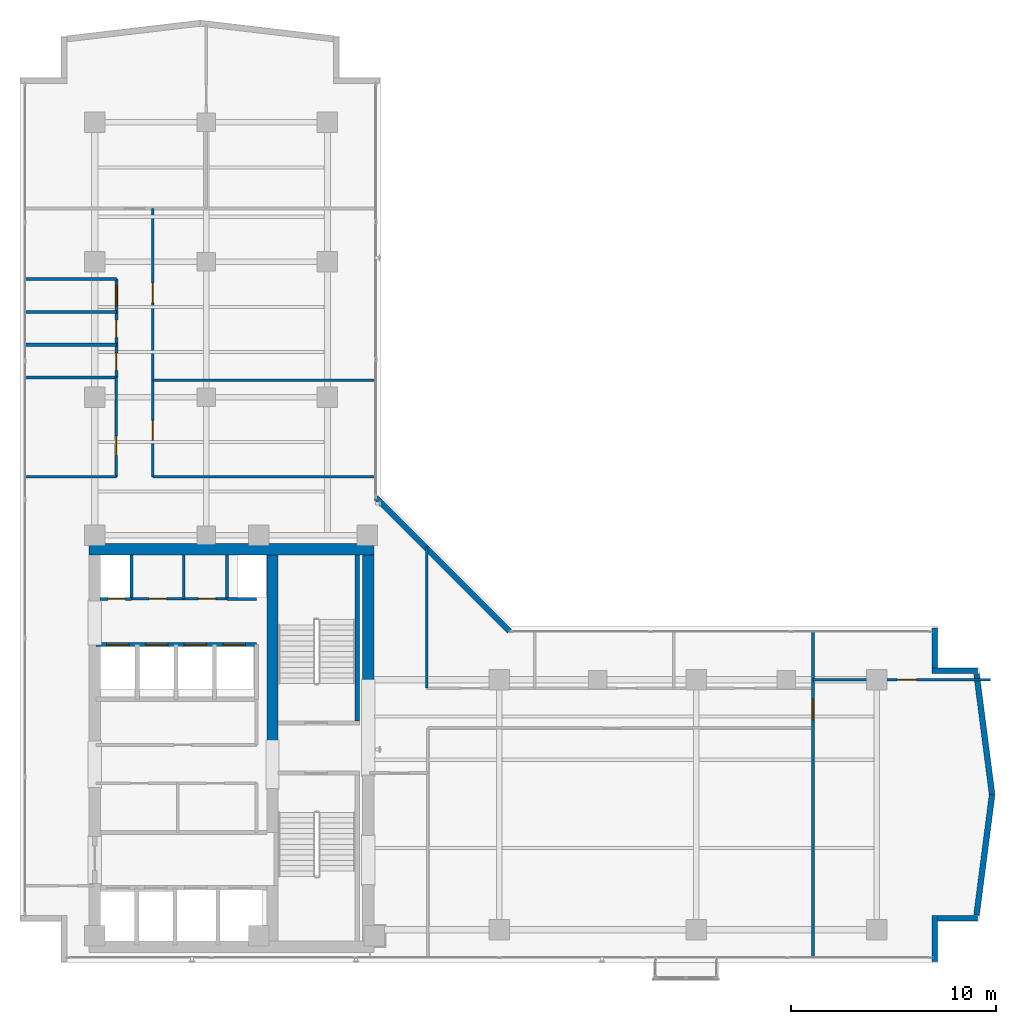
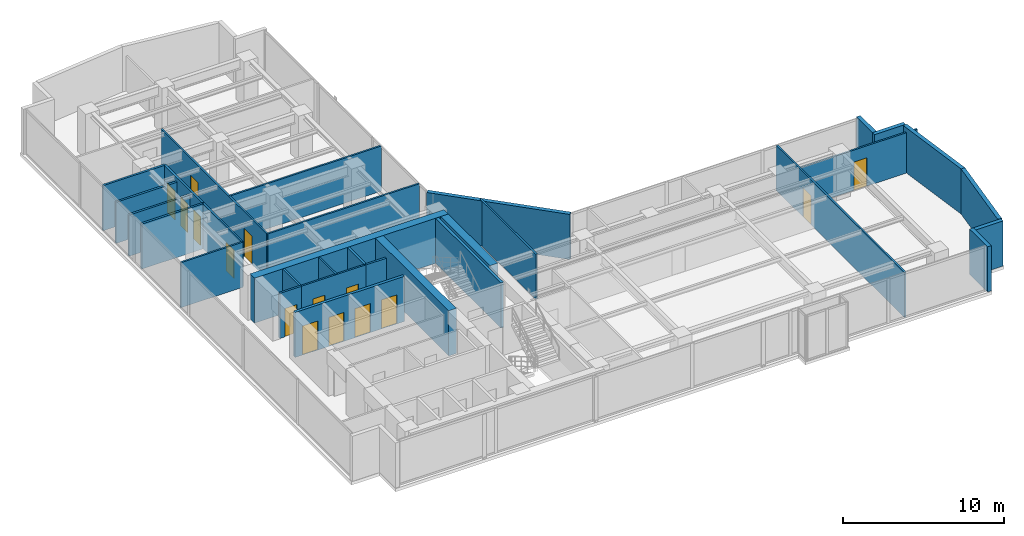
# One storey, part 18 of 24: 31 walls, 15 doors, 15 openings.
"""IFC4 building model written with IfcOpenShell, lengths in metres."""

from ifc_helpers import new_model, si_unit, direction, frame, frame_2d, origin, place, context, subcontext, project, spatial, rectangle, extrude, material, layer, layer_set, type_object, element, fill, save


model = new_model("IFC4")

# Units and contexts
model_context = context("Model", 3, precision=1e-05, world=origin(), true_north=direction((0.0, 1.0)))
body_context = subcontext(model_context, "Body", "Model", "MODEL_VIEW")
ifc_project = project(units=[si_unit("LENGTHUNIT", "METRE"), si_unit("AREAUNIT", "SQUARE_METRE"), si_unit("VOLUMEUNIT", "CUBIC_METRE"), si_unit("PLANEANGLEUNIT", "RADIAN"), si_unit("MASSUNIT", "GRAM", prefix="KILO")], contexts=[model_context])

# Site, building, storey
site_placement = place(None, origin())
site = spatial("IfcSite", under=ifc_project, at=site_placement, CompositionType="ELEMENT")
building_placement = place(site_placement, origin())
building = spatial("IfcBuilding", under=site, at=building_placement, Name="Kolvaren Waterfront Exchange", CompositionType="ELEMENT")
storey_placement = place(building_placement, frame((0.0, 0.0, 253.89990234375)))
storey = spatial("IfcBuildingStorey", under=building, at=storey_placement, Name="L65", CompositionType="ELEMENT", Elevation=253.89990234375)

# Walls
ifc_material_1 = material(Name="Precast concrete C40/50", Category="concrete")
ifc_layer_1 = layer(ifc_material_1, 0.280029296875, Name="Precast concrete C40/50")
ifc_layer_set_1 = layer_set([ifc_layer_1], Name="Precast concrete C40/50")
wall_type_1 = type_object("IfcWallType", Name="ARC-EXT-TERR-280", PredefinedType="SOLIDWALL", material=ifc_layer_set_1)
wall_1_placement = place(storey_placement, frame((48.43994140625, 3.659912109375, 0.0), z_axis=(0.0, 0.0, 1.0), x_axis=(0.0, 1.0, 0.0)))
element("IfcWall", 1, at=wall_1_placement, inside=storey, type_object=wall_type_1, Name="L65 notched corner spandrel pier SE-A", PredefinedType="SOLIDWALL", context=body_context, shape_type="SweptSolid", body=[
    extrude(rectangle(XDim=2.239990234375, YDim=0.280029296875, at=frame_2d((1.1201171875, 0.0))), origin(), (0.0, 0.0, 1.0), 3.420166015625),
])
wall_2_placement = place(storey_placement, frame((48.580078125, 5.760009765625, 0.0), z_axis=(0.0, 0.0, 1.0), x_axis=(1.0, 0.0, 0.0)))
element("IfcWall", 2, at=wall_2_placement, inside=storey, type_object=wall_type_1, Name="L65 notched corner spandrel pier SE-B", PredefinedType="SOLIDWALL", context=body_context, shape_type="SweptSolid", body=[
    extrude(rectangle(XDim=1.9599609375, YDim=0.280029296875, at=frame_2d((0.97998046875, 0.0))), origin(), (0.0, 0.0, 1.0), 3.420166015625),
])
wall_3_placement = place(storey_placement, frame((48.43994140625, 17.965087890625, 0.0), z_axis=(0.0, 0.0, 1.0), x_axis=(0.0, 1.0, 0.0)))
element("IfcWall", 3, at=wall_3_placement, inside=storey, type_object=wall_type_1, Name="L65 notched corner spandrel pier ENE-A", PredefinedType="SOLIDWALL", context=body_context, shape_type="SweptSolid", body=[
    extrude(rectangle(XDim=1.974853515625, YDim=0.280029296875, at=frame_2d((0.9873046875, 0.0))), origin(), (0.0, 0.0, 1.0), 3.420166015625),
])
wall_4_placement = place(storey_placement, frame((48.300048828125, 17.840087890625, 0.0), z_axis=(0.0, 0.0, 1.0), x_axis=(1.0, 0.0, 0.0)))
element("IfcWall", 4, at=wall_4_placement, inside=storey, type_object=wall_type_1, Name="L65 notched corner spandrel pier ENE-B", PredefinedType="SOLIDWALL", context=body_context, shape_type="SweptSolid", body=[
    extrude(rectangle(XDim=2.239990234375, YDim=0.280029296875, at=frame_2d((1.1201171875, 0.0))), origin(), (0.0, 0.0, 1.0), 3.420166015625),
])
wall_5_placement = place(storey_placement, frame((27.68505859375, 19.77490234375, 0.0), z_axis=(0.0, 0.0, 1.0), x_axis=(-0.707106781187, 0.707106781187, 0.0)))
element("IfcWall", 5, at=wall_5_placement, inside=storey, type_object=wall_type_1, Name="L65 notched corner spandrel pier ELBOW", PredefinedType="SOLIDWALL", context=body_context, shape_type="SweptSolid", body=[
    extrude(rectangle(XDim=9.20654296875, YDim=0.280029296875, at=frame_2d((4.603271484375, 0.0))), origin(), (0.0, 0.0, 1.0), 3.420166015625),
])
for number, where, z_axis, x_axis, name in (
    (6, (50.479736328125, 5.91796875, 0.0), (0.0, 0.0, 1.0), (0.127970031595, 0.991778035154, 0.0), "L65 east prow faceted facade wall 1"),
    (7, (51.23876953125, 11.79931640625, 0.0), (0.0, 0.0, 1.0), (-0.127970031595, 0.991778035154, 0.0), "L65 east prow faceted facade wall 2"),
):
    element("IfcWall", number, at=place(storey_placement, frame(where, z_axis=z_axis, x_axis=x_axis)), inside=storey, type_object=wall_type_1, Name=name, PredefinedType="SOLIDWALL", context=body_context, shape_type="SweptSolid", body=[
        extrude(rectangle(XDim=5.931396484375, YDim=0.280029296875, at=frame_2d((2.9658203125, 0.0))), origin(), (0.0, 0.0, 1.0), 3.420166015625),
    ])

# Wall, openings, doors
ifc_material_2 = material(Name="Acoustic gypsum steel stud", Category="steel")
ifc_layer_2 = layer(ifc_material_2, 0.125, Name="Acoustic gypsum steel stud")
ifc_layer_set_2 = layer_set([ifc_layer_2], Name="Acoustic gypsum steel stud")
wall_type_2 = type_object("IfcWallType", Name="ARC-PART-125", PredefinedType="PARTITIONING", material=ifc_layer_set_2)
wall_6_placement = place(storey_placement, frame((9.25, 21.35009765625, 0.0), z_axis=(0.0, 0.0, 1.0), x_axis=(1.0, 0.0, 0.0)))
wall_6 = element("IfcWall", 8, at=wall_6_placement, inside=storey, type_object=wall_type_2, Name="L65 interior wall PW-L65-SVC-HI-S", PredefinedType="PARTITIONING", context=body_context, shape_type="SweptSolid", body=[
    extrude(rectangle(XDim=4.64990234375, YDim=0.125, at=frame_2d((2.324951171875, 0.0))), origin(), (0.0, 0.0, 1.0), 3.420166015625),
])
opening_1_placement = place(wall_6_placement, frame((0.85009765625, 0.0, 0.0)))
opening_1 = element("IfcOpeningElement", 9, at=opening_1_placement, cuts=wall_6, Name="Opening D01", PredefinedType="OPENING", context=body_context, shape_type="SweptSolid", body=[
    extrude(rectangle(XDim=0.85009765625, YDim=2.14990234375, at=frame_2d((0.425048828125, 1.074951171875))), frame((0.0, 0.072509765625, 0.0), z_axis=(0.0, -1.0, 0.0), x_axis=(1.0, 0.0, 0.0)), (0.0, 0.0, 1.0), 0.14501953125),
])
opening_2_placement = place(wall_6_placement, frame((3.25, 0.0, 0.0)))
opening_2 = element("IfcOpeningElement", 10, at=opening_2_placement, cuts=wall_6, Name="Opening D01", PredefinedType="OPENING", context=body_context, shape_type="SweptSolid", body=[
    extrude(rectangle(XDim=0.85009765625, YDim=2.14990234375, at=frame_2d((0.425048828125, 1.074951171875))), frame((0.0, 0.072509765625, 0.0), z_axis=(0.0, -1.0, 0.0), x_axis=(1.0, 0.0, 0.0)), (0.0, 0.0, 1.0), 0.14501953125),
])
ifc_material_3 = material(Name="Oak veneer timber leaf", Category="wood")
door_type_1 = type_object("IfcDoorType", Name="ARC-DR-900", OperationType="NOTDEFINED", PredefinedType="DOOR", material=ifc_material_3)
door_1_placement = place(opening_1_placement, origin())
door_1 = element("IfcDoor", 11, at=door_1_placement, inside=storey, type_object=door_type_1, Name="L65 door DR-L65-SVC-DR-1 (D01)", OperationType="SINGLE_SWING_RIGHT", OverallHeight=2.14990234375, OverallWidth=0.85009765625, PredefinedType="DOOR", context=body_context, shape_type="SweptSolid", body=[
    extrude(rectangle(XDim=0.85009765625, YDim=2.14990234375, at=frame_2d((0.425048828125, 1.074951171875))), frame((0.0, 0.02490234375, 0.0), z_axis=(0.0, -1.0, 0.0), x_axis=(1.0, 0.0, 0.0)), (0.0, 0.0, 1.0), 0.050048828125),
])
fill(opening_1, door_1)
door_2_placement = place(opening_2_placement, origin())
door_2 = element("IfcDoor", 12, at=door_2_placement, inside=storey, type_object=door_type_1, Name="L65 door DR-L65-SVC-DR-2 (D01)", OperationType="SINGLE_SWING_LEFT", OverallHeight=2.14990234375, OverallWidth=0.85009765625, PredefinedType="DOOR", context=body_context, shape_type="SweptSolid", body=[
    extrude(rectangle(XDim=0.85009765625, YDim=2.14990234375, at=frame_2d((0.425048828125, 1.074951171875))), frame((0.0, 0.02490234375, 0.0), z_axis=(0.0, -1.0, 0.0), x_axis=(1.0, 0.0, 0.0)), (0.0, 0.0, 1.0), 0.050048828125),
])
fill(opening_2, door_2)

# Wall
wall_7_placement = place(storey_placement, frame((11.800048828125, 21.35009765625, 0.0), z_axis=(0.0, 0.0, 1.0), x_axis=(0.0, 1.0, 0.0)))
element("IfcWall", 13, at=wall_7_placement, inside=storey, type_object=wall_type_2, Name="L65 interior wall PW-L65-SVC-HI-M", PredefinedType="PARTITIONING", context=body_context, shape_type="SweptSolid", body=[
    extrude(rectangle(XDim=2.1298828125, YDim=0.125, at=frame_2d((1.06494140625, 0.0))), origin(), (0.0, 0.0, 1.0), 3.420166015625),
])

# Wall, opening, door
wall_8_placement = place(storey_placement, frame((8.5, 27.300048828125, 0.0), z_axis=(0.0, 0.0, 1.0), x_axis=(0.0, 1.0, 0.0)))
wall_8 = element("IfcWall", 14, at=wall_8_placement, inside=storey, type_object=wall_type_2, Name="L65 interior wall PW-L65-PREWC-E", PredefinedType="PARTITIONING", context=body_context, shape_type="SweptSolid", body=[
    extrude(rectangle(XDim=4.849853515625, YDim=0.125, at=frame_2d((2.4248046875, 0.0))), origin(), (0.0, 0.0, 1.0), 3.420166015625),
])
opening_3_placement = place(wall_8_placement, frame((1.050048828125, 0.0, 0.0)))
opening_3 = element("IfcOpeningElement", 15, at=opening_3_placement, cuts=wall_8, Name="Opening D02", PredefinedType="OPENING", context=body_context, shape_type="SweptSolid", body=[
    extrude(rectangle(XDim=0.949951171875, YDim=2.14990234375, at=frame_2d((0.47509765625, 1.074951171875))), frame((0.0, 0.072509765625, 0.0), z_axis=(0.0, -1.0, 0.0), x_axis=(1.0, 0.0, 0.0)), (0.0, 0.0, 1.0), 0.14501953125),
])
ifc_material_4 = material(Name="Oak veneer acoustic timber", Category="wood")
door_type_2 = type_object("IfcDoorType", Name="ARC-DR-950", OperationType="NOTDEFINED", PredefinedType="DOOR", material=ifc_material_4)
door_3_placement = place(opening_3_placement, origin())
door_3 = element("IfcDoor", 16, at=door_3_placement, inside=storey, type_object=door_type_2, Name="L65 door DR-L65-PREWC-D (D02)", OperationType="SINGLE_SWING_RIGHT", OverallHeight=2.14990234375, OverallWidth=0.949951171875, PredefinedType="DOOR", context=body_context, shape_type="SweptSolid", body=[
    extrude(rectangle(XDim=0.949951171875, YDim=2.14990234375, at=frame_2d((0.47509765625, 1.074951171875))), frame((0.0, 0.02490234375, 0.0), z_axis=(0.0, -1.0, 0.0), x_axis=(1.0, 0.0, 0.0)), (0.0, 0.0, 1.0), 0.050048828125),
])
fill(opening_3, door_3)

# Wall
wall_9_placement = place(storey_placement, frame((4.0400390625, 27.300048828125, 0.0), z_axis=(0.0, 0.0, 1.0), x_axis=(1.0, 0.0, 0.0)))
element("IfcWall", 17, at=wall_9_placement, inside=storey, type_object=wall_type_2, Name="L65 interior wall PW-L65-PREWC-S", PredefinedType="PARTITIONING", context=body_context, shape_type="SweptSolid", body=[
    extrude(rectangle(XDim=4.4599609375, YDim=0.125, at=frame_2d((2.22998046875, 0.0))), origin(), (0.0, 0.0, 1.0), 3.420166015625),
])

# Wall, opening, door
wall_10_placement = place(storey_placement, frame((42.5, 3.840087890625, 0.0), z_axis=(0.0, 0.0, 1.0), x_axis=(0.0, 1.0, 0.0)))
wall_10 = element("IfcWall", 18, at=wall_10_placement, inside=storey, type_object=wall_type_2, Name="L65 interior wall PW-L65-ETIP-W", PredefinedType="PARTITIONING", context=body_context, shape_type="SweptSolid", body=[
    extrude(rectangle(XDim=15.919921875, YDim=0.125, at=frame_2d((7.9599609375, 0.0))), origin(), (0.0, 0.0, 1.0), 3.420166015625),
])
opening_4_placement = place(wall_10_placement, frame((11.610107421875, 0.0, 0.0)))
opening_4 = element("IfcOpeningElement", 19, at=opening_4_placement, cuts=wall_10, Name="Opening D03", PredefinedType="OPENING", context=body_context, shape_type="SweptSolid", body=[
    extrude(rectangle(XDim=1.0, YDim=2.199951171875, at=frame_2d((0.5, 1.10009765625))), frame((0.0, 0.072509765625, 0.0), z_axis=(0.0, -1.0, 0.0), x_axis=(1.0, 0.0, 0.0)), (0.0, 0.0, 1.0), 0.14501953125),
])
ifc_material_5 = material(Name="Oak veneer accessible timber", Category="wood")
door_type_3 = type_object("IfcDoorType", Name="ARC-DR-1000", OperationType="NOTDEFINED", PredefinedType="DOOR", material=ifc_material_5)
door_4_placement = place(opening_4_placement, origin())
door_4 = element("IfcDoor", 20, at=door_4_placement, inside=storey, type_object=door_type_3, Name="L65 door DR-L65-ETIP1-D (D03)", OperationType="SINGLE_SWING_LEFT", OverallHeight=2.199951171875, OverallWidth=1.0, PredefinedType="DOOR", context=body_context, shape_type="SweptSolid", body=[
    extrude(rectangle(XDim=1.0, YDim=2.199951171875, at=frame_2d((0.5, 1.10009765625))), frame((0.0, 0.02490234375, 0.0), z_axis=(0.0, -1.0, 0.0), x_axis=(1.0, 0.0, 0.0)), (0.0, 0.0, 1.0), 0.050048828125),
])
fill(opening_4, door_4)

wall_11_placement = place(storey_placement, frame((42.5, 17.39990234375, 0.0), z_axis=(0.0, 0.0, 1.0), x_axis=(1.0, 0.0, 0.0)))
wall_11 = element("IfcWall", 21, at=wall_11_placement, inside=storey, type_object=wall_type_2, Name="L65 interior wall PW-L65-ETIP-MID", PredefinedType="PARTITIONING", context=body_context, shape_type="SweptSolid", body=[
    extrude(rectangle(XDim=8.659912109375, YDim=0.125, at=frame_2d((4.330078125, 0.0))), origin(), (0.0, 0.0, 1.0), 3.06005859375),
])
opening_5_placement = place(wall_11_placement, frame((4.10009765625, 0.0, 0.0)))
opening_5 = element("IfcOpeningElement", 22, at=opening_5_placement, cuts=wall_11, Name="Opening D02", PredefinedType="OPENING", context=body_context, shape_type="SweptSolid", body=[
    extrude(rectangle(XDim=0.949951171875, YDim=2.14990234375, at=frame_2d((0.47509765625, 1.074951171875))), frame((0.0, 0.072509765625, 0.0), z_axis=(0.0, -1.0, 0.0), x_axis=(1.0, 0.0, 0.0)), (0.0, 0.0, 1.0), 0.14501953125),
])
door_5_placement = place(opening_5_placement, origin())
door_5 = element("IfcDoor", 23, at=door_5_placement, inside=storey, type_object=door_type_2, Name="L65 door DR-L65-ETIP2-D (D02)", OperationType="SINGLE_SWING_RIGHT", OverallHeight=2.14990234375, OverallWidth=0.949951171875, PredefinedType="DOOR", context=body_context, shape_type="SweptSolid", body=[
    extrude(rectangle(XDim=0.949951171875, YDim=2.14990234375, at=frame_2d((0.47509765625, 1.074951171875))), frame((0.0, 0.02490234375, 0.0), z_axis=(0.0, -1.0, 0.0), x_axis=(1.0, 0.0, 0.0)), (0.0, 0.0, 1.0), 0.050048828125),
])
fill(opening_5, door_5)

# Walls
wall_12_placement = place(storey_placement, frame((23.64990234375, 16.989990234375, 0.0), z_axis=(0.0, 0.0, 1.0), x_axis=(0.0, 1.0, 0.0)))
element("IfcWall", 24, at=wall_12_placement, inside=storey, type_object=wall_type_2, Name="L65 interior wall PW-L65-EN-W0", PredefinedType="PARTITIONING", context=body_context, shape_type="SweptSolid", body=[
    extrude(rectangle(XDim=6.919921875, YDim=0.125, at=frame_2d((3.4599609375, 0.0))), origin(), (0.0, 0.0, 1.0), 3.420166015625),
])
wall_13_placement = place(storey_placement, frame((10.280029296875, 27.300048828125, 0.0), z_axis=(0.0, 0.0, 1.0), x_axis=(1.0, 0.0, 0.0)))
element("IfcWall", 25, at=wall_13_placement, inside=storey, type_object=wall_type_2, Name="L65 interior wall PW-L65-NE-S0", PredefinedType="PARTITIONING", context=body_context, shape_type="SweptSolid", body=[
    extrude(rectangle(XDim=10.8798828125, YDim=0.125, at=frame_2d((5.43994140625, 0.0))), origin(), (0.0, 0.0, 1.0), 3.420166015625),
])

# Wall, openings, doors
wall_14_placement = place(storey_placement, frame((10.280029296875, 27.300048828125, 0.0), z_axis=(0.0, 0.0, 1.0), x_axis=(0.0, 1.0, 0.0)))
wall_14 = element("IfcWall", 26, at=wall_14_placement, inside=storey, type_object=wall_type_2, Name="L65 interior wall PW-L65-NE-CORR", PredefinedType="PARTITIONING", context=body_context, shape_type="SweptSolid", body=[
    extrude(rectangle(XDim=13.099853515625, YDim=0.125, at=frame_2d((6.5498046875, 0.0))), origin(), (0.0, 0.0, 1.0), 3.420166015625),
])
opening_6_placement = place(wall_14_placement, frame((1.814208984375, 0.0, 0.0)))
opening_6 = element("IfcOpeningElement", 27, at=opening_6_placement, cuts=wall_14, Name="Opening D02", PredefinedType="OPENING", context=body_context, shape_type="SweptSolid", body=[
    extrude(rectangle(XDim=0.949951171875, YDim=2.14990234375, at=frame_2d((0.47509765625, 1.074951171875))), frame((0.0, 0.072509765625, 0.0), z_axis=(0.0, -1.0, 0.0), x_axis=(1.0, 0.0, 0.0)), (0.0, 0.0, 1.0), 0.14501953125),
])
opening_7_placement = place(wall_14_placement, frame((8.505615234375, 0.0, 0.0)))
opening_7 = element("IfcOpeningElement", 28, at=opening_7_placement, cuts=wall_14, Name="Opening D02", PredefinedType="OPENING", context=body_context, shape_type="SweptSolid", body=[
    extrude(rectangle(XDim=0.949951171875, YDim=2.14990234375, at=frame_2d((0.47509765625, 1.074951171875))), frame((0.0, 0.072509765625, 0.0), z_axis=(0.0, -1.0, 0.0), x_axis=(1.0, 0.0, 0.0)), (0.0, 0.0, 1.0), 0.14501953125),
])
door_6_placement = place(opening_6_placement, origin())
door_6 = element("IfcDoor", 29, at=door_6_placement, inside=storey, type_object=door_type_2, Name="L65 door DR-L65-NE-D-1 (D02)", OperationType="SINGLE_SWING_RIGHT", OverallHeight=2.14990234375, OverallWidth=0.949951171875, PredefinedType="DOOR", context=body_context, shape_type="SweptSolid", body=[
    extrude(rectangle(XDim=0.949951171875, YDim=2.14990234375, at=frame_2d((0.47509765625, 1.074951171875))), frame((0.0, 0.02490234375, 0.0), z_axis=(0.0, -1.0, 0.0), x_axis=(1.0, 0.0, 0.0)), (0.0, 0.0, 1.0), 0.050048828125),
])
fill(opening_6, door_6)
door_7_placement = place(opening_7_placement, origin())
door_7 = element("IfcDoor", 30, at=door_7_placement, inside=storey, type_object=door_type_2, Name="L65 door DR-L65-NE-D-2 (D02)", OperationType="SINGLE_SWING_LEFT", OverallHeight=2.14990234375, OverallWidth=0.949951171875, PredefinedType="DOOR", context=body_context, shape_type="SweptSolid", body=[
    extrude(rectangle(XDim=0.949951171875, YDim=2.14990234375, at=frame_2d((0.47509765625, 1.074951171875))), frame((0.0, 0.02490234375, 0.0), z_axis=(0.0, -1.0, 0.0), x_axis=(1.0, 0.0, 0.0)), (0.0, 0.0, 1.0), 0.050048828125),
])
fill(opening_7, door_7)

# Walls
wall_15_placement = place(storey_placement, frame((10.280029296875, 32.02001953125, 0.0), z_axis=(0.0, 0.0, 1.0), x_axis=(1.0, 0.0, 0.0)))
element("IfcWall", 31, at=wall_15_placement, inside=storey, type_object=wall_type_2, Name="L65 interior wall PW-L65-NE-DIV-1", PredefinedType="PARTITIONING", context=body_context, shape_type="SweptSolid", body=[
    extrude(rectangle(XDim=10.8798828125, YDim=0.125, at=frame_2d((5.43994140625, 0.0))), origin(), (0.0, 0.0, 1.0), 3.420166015625),
])
ifc_material_6 = material(Name="Gypsum fireboard steel stud", Category="steel")
ifc_layer_3 = layer(ifc_material_6, 0.14990234375, Name="Gypsum fireboard steel stud")
ifc_layer_set_3 = layer_set([ifc_layer_3], Name="Gypsum fireboard steel stud")
wall_type_3 = type_object("IfcWallType", Name="ARC-PART-150", PredefinedType="PARTITIONING", material=ifc_layer_set_3)
for number, where, z_axis, x_axis, name in (
    (32, (9.25, 21.35009765625, 0.0), (0.0, 0.0, 1.0), (0.0, 1.0, 0.0), "L65 interior wall PW-L65-SVC-R1"),
    (33, (13.89990234375, 21.35009765625, 0.0), (0.0, 0.0, 1.0), (0.0, 1.0, 0.0), "L65 interior wall PW-L65-SVC-R2"),
):
    element("IfcWall", number, at=place(storey_placement, frame(where, z_axis=z_axis, x_axis=x_axis)), inside=storey, type_object=wall_type_3, Name=name, PredefinedType="PARTITIONING", context=body_context, shape_type="SweptSolid", body=[
        extrude(rectangle(XDim=2.1298828125, YDim=0.14990234375, at=frame_2d((1.06494140625, 0.0))), origin(), (0.0, 0.0, 1.0), 3.420166015625),
    ])

# Wall, opening, door
wall_16_placement = place(storey_placement, frame((7.699951171875, 21.35009765625, 0.0), z_axis=(0.0, 0.0, 1.0), x_axis=(1.0, 0.0, 0.0)))
wall_16 = element("IfcWall", 34, at=wall_16_placement, inside=storey, type_object=wall_type_3, Name="L65 interior wall PW-L65-SVC-RE-S", PredefinedType="PARTITIONING", context=body_context, shape_type="SweptSolid", body=[
    extrude(rectangle(XDim=1.550048828125, YDim=0.14990234375, at=frame_2d((0.77490234375, 0.0))), origin(), (0.0, 0.0, 1.0), 3.420166015625),
])
opening_8_placement = place(wall_16_placement, frame((0.389892578125, 0.0, 0.0)))
opening_8 = element("IfcOpeningElement", 35, at=opening_8_placement, cuts=wall_16, Name="Opening FD1", PredefinedType="OPENING", context=body_context, shape_type="SweptSolid", body=[
    extrude(rectangle(XDim=0.85009765625, YDim=2.14990234375, at=frame_2d((0.425048828125, 1.074951171875))), frame((0.0, 0.0849609375, 0.0), z_axis=(0.0, -1.0, 0.0), x_axis=(1.0, 0.0, 0.0)), (0.0, 0.0, 1.0), 0.169921875),
])
ifc_material_7 = material(Name="Pressed steel fire leaf", Category="steel")
door_type_4 = type_object("IfcDoorType", Name="ARC-FD-900", OperationType="NOTDEFINED", PredefinedType="DOOR", material=ifc_material_7)
door_8_placement = place(opening_8_placement, origin())
door_8 = element("IfcDoor", 36, at=door_8_placement, inside=storey, type_object=door_type_4, Name="L65 door DR-L65-RISER-E-DR (FD1)", OperationType="SINGLE_SWING_LEFT", OverallHeight=2.14990234375, OverallWidth=0.85009765625, PredefinedType="DOOR", context=body_context, shape_type="SweptSolid", body=[
    extrude(rectangle(XDim=0.85009765625, YDim=2.14990234375, at=frame_2d((0.425048828125, 1.074951171875))), frame((0.0, 0.02490234375, 0.0), z_axis=(0.0, -1.0, 0.0), x_axis=(1.0, 0.0, 0.0)), (0.0, 0.0, 1.0), 0.050048828125),
])
fill(opening_8, door_8)

# Walls
wall_17_placement = place(storey_placement, frame((13.89990234375, 21.35009765625, 0.0), z_axis=(0.0, 0.0, 1.0), x_axis=(1.0, 0.0, 0.0)))
element("IfcWall", 37, at=wall_17_placement, inside=storey, type_object=wall_type_3, Name="L65 interior wall PW-L65-SVC-RP-S", PredefinedType="PARTITIONING", context=body_context, shape_type="SweptSolid", body=[
    extrude(rectangle(XDim=1.4501953125, YDim=0.14990234375, at=frame_2d((0.72509765625, 0.0))), origin(), (0.0, 0.0, 1.0), 3.420166015625),
])
ifc_material_8 = material(Name="Moisture-resistant gypsum stud")
ifc_layer_4 = layer(ifc_material_8, 0.14990234375, Name="Moisture-resistant gypsum stud")
ifc_layer_set_4 = layer_set([ifc_layer_4], Name="Moisture-resistant gypsum stud")
wall_type_4 = type_object("IfcWallType", Name="ARC-PLUMB-150", PredefinedType="PLUMBINGWALL", material=ifc_layer_set_4)
wall_18_placement = place(storey_placement, frame((4.0400390625, 32.14990234375, 0.0), z_axis=(0.0, 0.0, 1.0), x_axis=(1.0, 0.0, 0.0)))
element("IfcWall", 38, at=wall_18_placement, inside=storey, type_object=wall_type_4, Name="L65 interior wall PW-L65-WC-0", PredefinedType="PLUMBINGWALL", context=body_context, shape_type="SweptSolid", body=[
    extrude(rectangle(XDim=4.4599609375, YDim=0.14990234375, at=frame_2d((2.22998046875, 0.0))), origin(), (0.0, 0.0, 1.0), 3.420166015625),
])

# Wall, openings, doors
wall_19_placement = place(storey_placement, frame((8.5, 32.14990234375, 0.0), z_axis=(0.0, 0.0, 1.0), x_axis=(0.0, 1.0, 0.0)))
wall_19 = element("IfcWall", 39, at=wall_19_placement, inside=storey, type_object=wall_type_4, Name="L65 interior wall PW-L65-WC-E", PredefinedType="PLUMBINGWALL", context=body_context, shape_type="SweptSolid", body=[
    extrude(rectangle(XDim=4.800048828125, YDim=0.14990234375, at=frame_2d((2.39990234375, 0.0))), origin(), (0.0, 0.0, 1.0), 3.420166015625),
])
opening_9_placement = place(wall_19_placement, frame((0.35009765625, 0.0, 0.0)))
opening_9 = element("IfcOpeningElement", 40, at=opening_9_placement, cuts=wall_19, Name="Opening D01", PredefinedType="OPENING", context=body_context, shape_type="SweptSolid", body=[
    extrude(rectangle(XDim=0.85009765625, YDim=2.14990234375, at=frame_2d((0.425048828125, 1.074951171875))), frame((0.0, 0.0849609375, 0.0), z_axis=(0.0, -1.0, 0.0), x_axis=(1.0, 0.0, 0.0)), (0.0, 0.0, 1.0), 0.169921875),
])
opening_10_placement = place(wall_19_placement, frame((1.949951171875, 0.0, 0.0)))
opening_10 = element("IfcOpeningElement", 41, at=opening_10_placement, cuts=wall_19, Name="Opening D01", PredefinedType="OPENING", context=body_context, shape_type="SweptSolid", body=[
    extrude(rectangle(XDim=0.85009765625, YDim=2.14990234375, at=frame_2d((0.425048828125, 1.074951171875))), frame((0.0, 0.0849609375, 0.0), z_axis=(0.0, -1.0, 0.0), x_axis=(1.0, 0.0, 0.0)), (0.0, 0.0, 1.0), 0.169921875),
])
opening_11_placement = place(wall_19_placement, frame((3.5, 0.0, 0.0)))
opening_11 = element("IfcOpeningElement", 42, at=opening_11_placement, cuts=wall_19, Name="Opening D03", PredefinedType="OPENING", context=body_context, shape_type="SweptSolid", body=[
    extrude(rectangle(XDim=1.0, YDim=2.199951171875, at=frame_2d((0.5, 1.10009765625))), frame((0.0, 0.0849609375, 0.0), z_axis=(0.0, -1.0, 0.0), x_axis=(1.0, 0.0, 0.0)), (0.0, 0.0, 1.0), 0.169921875),
])
door_9_placement = place(opening_11_placement, origin())
door_9 = element("IfcDoor", 43, at=door_9_placement, inside=storey, type_object=door_type_3, Name="L65 door DR-L65-WCA-D (D03)", OperationType="SINGLE_SWING_LEFT", OverallHeight=2.199951171875, OverallWidth=1.0, PredefinedType="DOOR", context=body_context, shape_type="SweptSolid", body=[
    extrude(rectangle(XDim=1.0, YDim=2.199951171875, at=frame_2d((0.5, 1.10009765625))), frame((0.0, 0.02490234375, 0.0), z_axis=(0.0, -1.0, 0.0), x_axis=(1.0, 0.0, 0.0)), (0.0, 0.0, 1.0), 0.050048828125),
])
fill(opening_11, door_9)
door_10_placement = place(opening_9_placement, origin())
door_10 = element("IfcDoor", 44, at=door_10_placement, inside=storey, type_object=door_type_1, Name="L65 door DR-L65-WCM-D (D01)", OperationType="SINGLE_SWING_LEFT", OverallHeight=2.14990234375, OverallWidth=0.85009765625, PredefinedType="DOOR", context=body_context, shape_type="SweptSolid", body=[
    extrude(rectangle(XDim=0.85009765625, YDim=2.14990234375, at=frame_2d((0.425048828125, 1.074951171875))), frame((0.0, 0.02490234375, 0.0), z_axis=(0.0, -1.0, 0.0), x_axis=(1.0, 0.0, 0.0)), (0.0, 0.0, 1.0), 0.050048828125),
])
fill(opening_9, door_10)
door_11_placement = place(opening_10_placement, origin())
door_11 = element("IfcDoor", 45, at=door_11_placement, inside=storey, type_object=door_type_1, Name="L65 door DR-L65-WCF-D (D01)", OperationType="SINGLE_SWING_RIGHT", OverallHeight=2.14990234375, OverallWidth=0.85009765625, PredefinedType="DOOR", context=body_context, shape_type="SweptSolid", body=[
    extrude(rectangle(XDim=0.85009765625, YDim=2.14990234375, at=frame_2d((0.425048828125, 1.074951171875))), frame((0.0, 0.02490234375, 0.0), z_axis=(0.0, -1.0, 0.0), x_axis=(1.0, 0.0, 0.0)), (0.0, 0.0, 1.0), 0.050048828125),
])
fill(opening_10, door_11)

# Walls
for number, where, z_axis, x_axis, name in (
    (46, (4.0400390625, 33.75, 0.0), (0.0, 0.0, 1.0), (1.0, 0.0, 0.0), "L65 interior wall PW-L65-WC-1"),
    (47, (4.0400390625, 35.35009765625, 0.0), (0.0, 0.0, 1.0), (1.0, 0.0, 0.0), "L65 interior wall PW-L65-WC-2"),
):
    element("IfcWall", number, at=place(storey_placement, frame(where, z_axis=z_axis, x_axis=x_axis)), inside=storey, type_object=wall_type_4, Name=name, PredefinedType="PLUMBINGWALL", context=body_context, shape_type="SweptSolid", body=[
        extrude(rectangle(XDim=4.4599609375, YDim=0.14990234375, at=frame_2d((2.22998046875, 0.0))), origin(), (0.0, 0.0, 1.0), 3.1201171875),
    ])
wall_20_placement = place(storey_placement, frame((4.0400390625, 36.949951171875, 0.0), z_axis=(0.0, 0.0, 1.0), x_axis=(1.0, 0.0, 0.0)))
element("IfcWall", 48, at=wall_20_placement, inside=storey, type_object=wall_type_4, Name="L65 interior wall PW-L65-WC-3", PredefinedType="PLUMBINGWALL", context=body_context, shape_type="SweptSolid", body=[
    extrude(rectangle(XDim=4.4599609375, YDim=0.14990234375, at=frame_2d((2.22998046875, 0.0))), origin(), (0.0, 0.0, 1.0), 3.420166015625),
])
ifc_material_9 = material(Name="Concrete C40/50", Category="concrete")
ifc_layer_5 = layer(ifc_material_9, 0.199951171875, Name="Concrete C40/50")
ifc_layer_set_5 = layer_set([ifc_layer_5], Name="Concrete C40/50")
wall_type_5 = type_object("IfcWallType", Name="ARC-SHAFT-200", PredefinedType="PARTITIONING", material=ifc_layer_set_5)
wall_21_placement = place(storey_placement, frame((20.260009765625, 15.39990234375, 0.0), z_axis=(0.0, 0.0, 1.0), x_axis=(0.0, 1.0, 0.0)))
element("IfcWall", 49, at=wall_21_placement, inside=storey, type_object=wall_type_5, Name="L65 structural stairwell wall PW-L65-ST2-E", PredefinedType="SHEAR", context=body_context, shape_type="SweptSolid", body=[
    extrude(rectangle(XDim=8.090087890625, YDim=0.199951171875, at=frame_2d((4.044921875, 0.0))), origin(), (0.0, 0.0, 1.0), 3.420166015625),
])

# Wall, openings, doors
wall_22_placement = place(storey_placement, frame((7.5, 19.1201171875, 0.0), z_axis=(0.0, 0.0, 1.0), x_axis=(1.0, 0.0, 0.0)))
wall_22 = element("IfcWall", 50, at=wall_22_placement, inside=storey, type_object=wall_type_5, Name="L65 interior wall PW-L65-PH-N", PredefinedType="PARTITIONING", context=body_context, shape_type="SweptSolid", body=[
    extrude(rectangle(XDim=7.85009765625, YDim=0.199951171875, at=frame_2d((3.925048828125, 0.0))), origin(), (0.0, 0.0, 1.0), 3.420166015625),
])
opening_12_placement = place(wall_22_placement, frame((0.530029296875, 0.0, 0.0)))
opening_12 = element("IfcOpeningElement", 51, at=opening_12_placement, cuts=wall_22, Name="Opening LD2", PredefinedType="OPENING", context=body_context, shape_type="SweptSolid", body=[
    extrude(rectangle(XDim=1.10009765625, YDim=2.199951171875, at=frame_2d((0.550048828125, 1.10009765625))), frame((0.0, 0.10986328125, 0.0), z_axis=(0.0, -1.0, 0.0), x_axis=(1.0, 0.0, 0.0)), (0.0, 0.0, 1.0), 0.219970703125),
])
opening_13_placement = place(wall_22_placement, frame((2.419921875, 0.0, 0.0)))
opening_13 = element("IfcOpeningElement", 52, at=opening_13_placement, cuts=wall_22, Name="Opening LD2", PredefinedType="OPENING", context=body_context, shape_type="SweptSolid", body=[
    extrude(rectangle(XDim=1.10009765625, YDim=2.199951171875, at=frame_2d((0.550048828125, 1.10009765625))), frame((0.0, 0.10986328125, 0.0), z_axis=(0.0, -1.0, 0.0), x_axis=(1.0, 0.0, 0.0)), (0.0, 0.0, 1.0), 0.219970703125),
])
opening_14_placement = place(wall_22_placement, frame((4.31005859375, 0.0, 0.0)))
opening_14 = element("IfcOpeningElement", 53, at=opening_14_placement, cuts=wall_22, Name="Opening LD2", PredefinedType="OPENING", context=body_context, shape_type="SweptSolid", body=[
    extrude(rectangle(XDim=1.10009765625, YDim=2.199951171875, at=frame_2d((0.550048828125, 1.10009765625))), frame((0.0, 0.10986328125, 0.0), z_axis=(0.0, -1.0, 0.0), x_axis=(1.0, 0.0, 0.0)), (0.0, 0.0, 1.0), 0.219970703125),
])
opening_15_placement = place(wall_22_placement, frame((6.199951171875, 0.0, 0.0)))
opening_15 = element("IfcOpeningElement", 54, at=opening_15_placement, cuts=wall_22, Name="Opening LD2", PredefinedType="OPENING", context=body_context, shape_type="SweptSolid", body=[
    extrude(rectangle(XDim=1.10009765625, YDim=2.199951171875, at=frame_2d((0.550048828125, 1.10009765625))), frame((0.0, 0.10986328125, 0.0), z_axis=(0.0, -1.0, 0.0), x_axis=(1.0, 0.0, 0.0)), (0.0, 0.0, 1.0), 0.219970703125),
])
ifc_material_10 = material(Name="Brushed bronze sliding landing door", Category="aluminium")
door_type_5 = type_object("IfcDoorType", Name="ARC-LD-PAX", OperationType="SLIDING_TO_LEFT", PredefinedType="DOOR", material=ifc_material_10)
door_12_placement = place(opening_12_placement, origin())
door_12 = element("IfcDoor", 55, at=door_12_placement, inside=storey, type_object=door_type_5, Name="L65 door LD-L65-PH1 (LD2)", OperationType="SLIDING_TO_LEFT", OverallHeight=2.199951171875, OverallWidth=1.10009765625, PredefinedType="DOOR", context=body_context, shape_type="SweptSolid", body=[
    extrude(rectangle(XDim=1.10009765625, YDim=2.199951171875, at=frame_2d((0.550048828125, 1.10009765625))), frame((0.0, 0.02490234375, 0.0), z_axis=(0.0, -1.0, 0.0), x_axis=(1.0, 0.0, 0.0)), (0.0, 0.0, 1.0), 0.050048828125),
])
fill(opening_12, door_12)
door_13_placement = place(opening_13_placement, origin())
door_13 = element("IfcDoor", 56, at=door_13_placement, inside=storey, type_object=door_type_5, Name="L65 door LD-L65-PH2 (LD2)", OperationType="SLIDING_TO_LEFT", OverallHeight=2.199951171875, OverallWidth=1.10009765625, PredefinedType="DOOR", context=body_context, shape_type="SweptSolid", body=[
    extrude(rectangle(XDim=1.10009765625, YDim=2.199951171875, at=frame_2d((0.550048828125, 1.10009765625))), frame((0.0, 0.02490234375, 0.0), z_axis=(0.0, -1.0, 0.0), x_axis=(1.0, 0.0, 0.0)), (0.0, 0.0, 1.0), 0.050048828125),
])
fill(opening_13, door_13)
door_14_placement = place(opening_14_placement, origin())
door_14 = element("IfcDoor", 57, at=door_14_placement, inside=storey, type_object=door_type_5, Name="L65 door LD-L65-PH3 (LD2)", OperationType="SLIDING_TO_LEFT", OverallHeight=2.199951171875, OverallWidth=1.10009765625, PredefinedType="DOOR", context=body_context, shape_type="SweptSolid", body=[
    extrude(rectangle(XDim=1.10009765625, YDim=2.199951171875, at=frame_2d((0.550048828125, 1.10009765625))), frame((0.0, 0.02490234375, 0.0), z_axis=(0.0, -1.0, 0.0), x_axis=(1.0, 0.0, 0.0)), (0.0, 0.0, 1.0), 0.050048828125),
])
fill(opening_14, door_14)
door_15_placement = place(opening_15_placement, origin())
door_15 = element("IfcDoor", 58, at=door_15_placement, inside=storey, type_object=door_type_5, Name="L65 door LD-L65-PH4 (LD2)", OperationType="SLIDING_TO_LEFT", OverallHeight=2.199951171875, OverallWidth=1.10009765625, PredefinedType="DOOR", context=body_context, shape_type="SweptSolid", body=[
    extrude(rectangle(XDim=1.10009765625, YDim=2.199951171875, at=frame_2d((0.550048828125, 1.10009765625))), frame((0.0, 0.02490234375, 0.0), z_axis=(0.0, -1.0, 0.0), x_axis=(1.0, 0.0, 0.0)), (0.0, 0.0, 1.0), 0.050048828125),
])
fill(opening_15, door_15)

# Walls
ifc_material_11 = material(Name="Concrete C50/60", Category="concrete")
ifc_layer_6 = layer(ifc_material_11, 0.550048828125, Name="Concrete C50/60")
ifc_layer_set_6 = layer_set([ifc_layer_6], Name="Concrete C50/60")
wall_type_6 = type_object("IfcWallType", Name="STR-CWALL-550", PredefinedType="SHEAR", material=ifc_layer_set_6)
wall_23_placement = place(storey_placement, frame((7.175048828125, 23.77490234375, 0.0), z_axis=(0.0, 0.0, 1.0), x_axis=(1.0, 0.0, 0.0)))
element("IfcWall", 59, at=wall_23_placement, inside=storey, type_object=wall_type_6, Name="L65 rear-core shear wall N", PredefinedType="SHEAR", context=body_context, shape_type="SweptSolid", body=[
    extrude(rectangle(XDim=13.89990234375, YDim=0.550048828125, at=frame_2d((6.949951171875, 0.0))), origin(), (0.0, 0.0, 1.0), 3.420166015625),
])
wall_24_placement = place(storey_placement, frame((20.800048828125, 17.35009765625, 0.0), z_axis=(0.0, 0.0, 1.0), x_axis=(0.0, 1.0, 0.0)))
element("IfcWall", 60, at=wall_24_placement, inside=storey, type_object=wall_type_6, Name="L65 rear-core shear wall E3", PredefinedType="SHEAR", context=body_context, shape_type="SweptSolid", body=[
    extrude(rectangle(XDim=6.14990234375, YDim=0.550048828125, at=frame_2d((3.074951171875, 0.0))), origin(), (0.0, 0.0, 1.0), 3.420166015625),
])
wall_25_placement = place(storey_placement, frame((16.125, 14.39990234375, 0.0), z_axis=(0.0, 0.0, 1.0), x_axis=(0.0, 1.0, 0.0)))
element("IfcWall", 61, at=wall_25_placement, inside=storey, type_object=wall_type_6, Name="L65 rear-core shear wall M3", PredefinedType="SHEAR", context=body_context, shape_type="SweptSolid", body=[
    extrude(rectangle(XDim=9.10009765625, YDim=0.550048828125, at=frame_2d((4.550048828125, 0.0))), origin(), (0.0, 0.0, 1.0), 3.420166015625),
])

save(model, "model.ifc")
